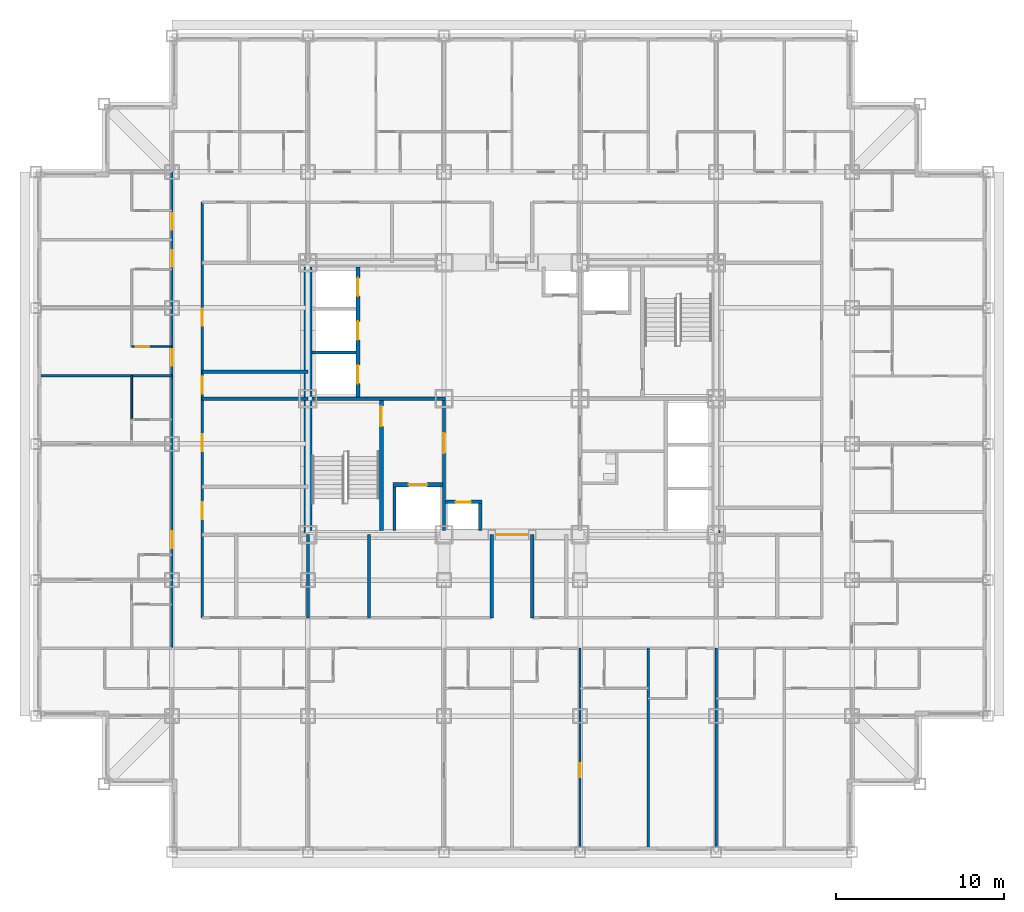
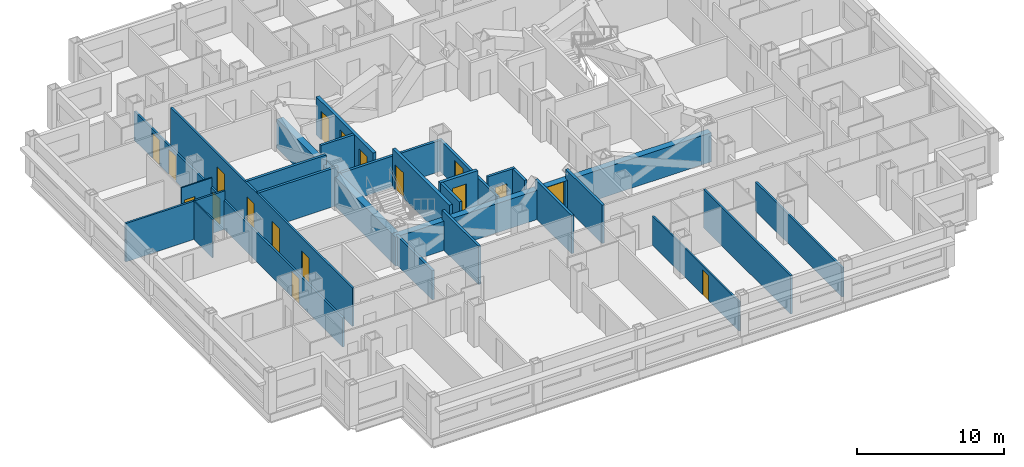
# One storey, part 6 of 14: 25 walls, 18 doors, 18 openings.
"""IFC4 building model written with IfcOpenShell, lengths in metres."""

from ifc_helpers import new_model, si_unit, direction, frame, frame_2d, origin, place, context, subcontext, project, spatial, rectangle, extrude, material, layer, layer_set, type_object, element, fill, save


model = new_model("IFC4")

# Units and contexts
model_context = context("Model", 3, precision=1e-05, world=origin(), true_north=direction((0.0, 1.0)))
body_context = subcontext(model_context, "Body", "Model", "MODEL_VIEW")
ifc_project = project(units=[si_unit("LENGTHUNIT", "METRE"), si_unit("AREAUNIT", "SQUARE_METRE"), si_unit("VOLUMEUNIT", "CUBIC_METRE"), si_unit("PLANEANGLEUNIT", "RADIAN"), si_unit("MASSUNIT", "GRAM", prefix="KILO")], contexts=[model_context])

# Site, building, storey
site_placement = place(None, origin())
site = spatial("IfcSite", under=ifc_project, at=site_placement, CompositionType="ELEMENT")
building_placement = place(site_placement, origin())
building = spatial("IfcBuilding", under=site, at=building_placement, Name="Kopane Lantern Tower", CompositionType="ELEMENT")
storey_placement = place(building_placement, frame((0.0, 0.0, 151.0)))
storey = spatial("IfcBuildingStorey", under=building, at=storey_placement, Name="L39", CompositionType="ELEMENT", Elevation=151.0)

# Wall, opening, door
ifc_material_1 = material(Name="Gypsum board on steel studs", Category="steel")
ifc_layer_1 = layer(ifc_material_1, 0.1201171875)
ifc_layer_set_1 = layer_set([ifc_layer_1], Name="APARTMENT INTERNAL WALL 120")
wall_type_1 = type_object("IfcWallType", Name="APARTMENT INTERNAL WALL 120", PredefinedType="PARTITIONING", material=ifc_layer_set_1)
wall_1_placement = place(storey_placement, frame((32.39990234375, 17.550048828125, 0.0), z_axis=(0.0, 0.0, 1.0), x_axis=(0.0, -1.0, 0.0)))
wall_1 = element("IfcWall", 1, at=wall_1_placement, inside=storey, type_object=wall_type_1, Name="Apartment Internal Wall 120 L39", PredefinedType="PARTITIONING", context=body_context, shape_type="SweptSolid", body=[
    extrude(rectangle(XDim=11.85009765625, YDim=0.1201171875, at=frame_2d((5.925048828125, 0.0))), origin(), (0.0, 0.0, 1.0), 2.420166015625),
])
opening_1_placement = place(wall_1_placement, frame((6.85009765625, 0.0, 0.0)))
opening_1 = element("IfcOpeningElement", 2, at=opening_1_placement, cuts=wall_1, Name="Opening L39-032", PredefinedType="OPENING", context=body_context, shape_type="SweptSolid", body=[
    extrude(rectangle(XDim=0.85009765625, YDim=2.10009765625, at=frame_2d((0.425048828125, 1.050048828125))), frame((0.0, 0.070068359375, 0.0), z_axis=(0.0, -1.0, 0.0), x_axis=(1.0, 0.0, 0.0)), (0.0, 0.0, 1.0), 0.14013671875),
])
ifc_material_2 = material(Name="Timber door set", Category="wood")
door_type_1 = type_object("IfcDoorType", Name="DOOR D4 850x2100", OperationType="SINGLE_SWING_LEFT", PredefinedType="DOOR", material=ifc_material_2)
door_1_placement = place(opening_1_placement, origin())
door_1 = element("IfcDoor", 3, at=door_1_placement, inside=storey, type_object=door_type_1, Name="Door L39-032", OperationType="SINGLE_SWING_LEFT", OverallHeight=2.10009765625, OverallWidth=0.85009765625, PredefinedType="DOOR", context=body_context, shape_type="SweptSolid", body=[
    extrude(rectangle(XDim=0.85009765625, YDim=2.10009765625, at=frame_2d((0.425048828125, 1.050048828125))), frame((0.0, 0.02490234375, 0.0), z_axis=(0.0, -1.0, 0.0), x_axis=(1.0, 0.0, 0.0)), (0.0, 0.0, 1.0), 0.050048828125),
])
fill(opening_1, door_1)

# Wall
ifc_material_3 = material(Name="Moisture-resistant board on steel studs", Category="steel")
ifc_layer_2 = layer(ifc_material_3, 0.10009765625)
ifc_layer_set_2 = layer_set([ifc_layer_2], Name="BATHROOM WALL 100")
wall_type_2 = type_object("IfcWallType", Name="BATHROOM WALL 100", PredefinedType="PARTITIONING", material=ifc_layer_set_2)
wall_2_placement = place(storey_placement, frame((5.699951171875, 31.14990234375, 0.0), z_axis=(0.0, 0.0, 1.0), x_axis=(0.0, 1.0, 0.0)))
element("IfcWall", 4, at=wall_2_placement, inside=storey, type_object=wall_type_2, Name="Bathroom Wall 100 L39", PredefinedType="PARTITIONING", context=body_context, shape_type="SweptSolid", body=[
    extrude(rectangle(XDim=2.60009765625, YDim=0.10009765625, at=frame_2d((1.300048828125, 0.0))), origin(), (0.0, 0.0, 1.0), 3.18994140625),
])

# Wall, opening, door
wall_3_placement = place(storey_placement, frame((8.10009765625, 35.5, 0.0), z_axis=(0.0, 0.0, 1.0), x_axis=(-1.0, 0.0, 0.0)))
wall_3 = element("IfcWall", 5, at=wall_3_placement, inside=storey, type_object=wall_type_2, Name="Bathroom Wall 100 L39", PredefinedType="PARTITIONING", context=body_context, shape_type="SweptSolid", body=[
    extrude(rectangle(XDim=2.400146484375, YDim=0.10009765625, at=frame_2d((1.2001953125, 0.0))), origin(), (0.0, 0.0, 1.0), 3.18994140625),
])
opening_2_placement = place(wall_3_placement, frame((1.35009765625, 0.0, 0.0)))
opening_2 = element("IfcOpeningElement", 6, at=opening_2_placement, cuts=wall_3, Name="Opening L39-057", PredefinedType="OPENING", context=body_context, shape_type="SweptSolid", body=[
    extrude(rectangle(XDim=0.800048828125, YDim=2.10009765625, at=frame_2d((0.39990234375, 1.050048828125))), frame((0.0, 0.06005859375, 0.0), z_axis=(0.0, -1.0, 0.0), x_axis=(1.0, 0.0, 0.0)), (0.0, 0.0, 1.0), 0.1201171875),
])
ifc_material_4 = material(Name="Timber door set", Category="wood")
door_type_2 = type_object("IfcDoorType", Name="DOOR D2 800x2100", OperationType="SINGLE_SWING_LEFT", PredefinedType="DOOR", material=ifc_material_4)
door_2_placement = place(opening_2_placement, origin())
door_2 = element("IfcDoor", 7, at=door_2_placement, inside=storey, type_object=door_type_2, Name="Door L39-057", OperationType="SINGLE_SWING_LEFT", OverallHeight=2.10009765625, OverallWidth=0.800048828125, PredefinedType="DOOR", context=body_context, shape_type="SweptSolid", body=[
    extrude(rectangle(XDim=0.800048828125, YDim=2.10009765625, at=frame_2d((0.39990234375, 1.050048828125))), frame((0.0, 0.02490234375, 0.0), z_axis=(0.0, -1.0, 0.0), x_axis=(1.0, 0.0, 0.0)), (0.0, 0.0, 1.0), 0.050048828125),
])
fill(opening_2, door_2)

ifc_material_5 = material(Name="Gypsum shaft wall EI 120", Category="gypsum")
ifc_layer_3 = layer(ifc_material_5, 0.5)
ifc_layer_set_3 = layer_set([ifc_layer_3], Name="CORE PERIMETER WALL 500 EI 120")
wall_type_3 = type_object("IfcWallType", Name="CORE PERIMETER WALL 500 EI 120", PredefinedType="SOLIDWALL", material=ifc_layer_set_3)
wall_4_placement = place(storey_placement, frame((15.949951171875, 24.300048828125, 0.0), z_axis=(0.0, 0.0, 1.0), x_axis=(1.0, 0.0, 0.0)))
wall_4 = element("IfcWall", 8, at=wall_4_placement, inside=storey, type_object=wall_type_3, Name="Core shaft wall L39 PS", PredefinedType="SOLIDWALL", context=body_context, shape_type="SweptSolid", body=[
    extrude(rectangle(XDim=24.800048828125, YDim=0.5, at=frame_2d((12.39990234375, 0.0))), origin(), (0.0, 0.0, 1.0), 2.420166015625),
])
opening_3_placement = place(wall_4_placement, frame((11.5, 0.0, 0.0)))
opening_3 = element("IfcOpeningElement", 9, at=opening_3_placement, cuts=wall_4, Name="Opening 39.CE-S", PredefinedType="OPENING", context=body_context, shape_type="SweptSolid", body=[
    extrude(rectangle(XDim=1.800048828125, YDim=2.39990234375, at=frame_2d((0.89990234375, 1.199951171875))), frame((0.0, 0.260009765625, 0.0), z_axis=(0.0, -1.0, 0.0), x_axis=(1.0, 0.0, 0.0)), (0.0, 0.0, 1.0), 0.52001953125),
])
ifc_material_6 = material(Name="Steel door set", Category="steel")
door_type_3 = type_object("IfcDoorType", Name="CORE ENTRY DOOR 1800x2400 FD60S", OperationType="DOUBLE_DOOR_SINGLE_SWING", PredefinedType="DOOR", material=ifc_material_6)
door_3_placement = place(opening_3_placement, origin())
door_3 = element("IfcDoor", 10, at=door_3_placement, inside=storey, type_object=door_type_3, Name="Core entry door L39 south", OperationType="DOUBLE_DOOR_SINGLE_SWING", OverallHeight=2.39990234375, OverallWidth=1.800048828125, PredefinedType="DOOR", context=body_context, shape_type="SweptSolid", body=[
    extrude(rectangle(XDim=1.800048828125, YDim=2.39990234375, at=frame_2d((0.89990234375, 1.199951171875))), frame((0.0, 0.02490234375, 0.0), z_axis=(0.0, -1.0, 0.0), x_axis=(1.0, 0.0, 0.0)), (0.0, 0.0, 1.0), 0.050048828125),
])
fill(opening_3, door_3)

# Wall
wall_5_placement = place(storey_placement, frame((16.199951171875, 24.550048828125, 0.0), z_axis=(0.0, 0.0, 1.0), x_axis=(0.0, 1.0, 0.0)))
element("IfcWall", 11, at=wall_5_placement, inside=storey, type_object=wall_type_3, Name="Core shaft wall L39 PW", PredefinedType="SOLIDWALL", context=body_context, shape_type="SweptSolid", body=[
    extrude(rectangle(XDim=15.699951171875, YDim=0.5, at=frame_2d((7.85009765625, 0.0))), origin(), (0.0, 0.0, 1.0), 2.420166015625),
])

# Wall, opening, door
ifc_material_7 = material(Name="Gypsum shaft wall EI 120", Category="gypsum")
ifc_layer_4 = layer(ifc_material_7, 0.25)
ifc_layer_set_4 = layer_set([ifc_layer_4], Name="CORE SHAFT WALL 250 EI 120")
wall_type_4 = type_object("IfcWallType", Name="CORE SHAFT WALL 250 EI 120", PredefinedType="SOLIDWALL", material=ifc_layer_set_4)
wall_6_placement = place(storey_placement, frame((20.574951171875, 24.550048828125, 0.0), z_axis=(0.0, 0.0, 1.0), x_axis=(0.0, 1.0, 0.0)))
wall_6 = element("IfcWall", 12, at=wall_6_placement, inside=storey, type_object=wall_type_4, Name="Core shaft wall L39 XST1", PredefinedType="SOLIDWALL", context=body_context, shape_type="SweptSolid", body=[
    extrude(rectangle(XDim=7.75, YDim=0.25, at=frame_2d((3.875, 0.0))), origin(), (0.0, 0.0, 1.0), 3.18994140625),
])
opening_4_placement = place(wall_6_placement, frame((6.199951171875, 0.0, 0.0)))
opening_4 = element("IfcOpeningElement", 13, at=opening_4_placement, cuts=wall_6, Name="Opening 39.SD1", PredefinedType="OPENING", context=body_context, shape_type="SweptSolid", body=[
    extrude(rectangle(XDim=1.199951171875, YDim=2.10009765625, at=frame_2d((0.60009765625, 1.050048828125))), frame((0.0, 0.135009765625, 0.0), z_axis=(0.0, -1.0, 0.0), x_axis=(1.0, 0.0, 0.0)), (0.0, 0.0, 1.0), 0.27001953125),
])
ifc_material_8 = material(Name="Steel door set", Category="steel")
door_type_4 = type_object("IfcDoorType", Name="STAIR DOOR 1200x2100 FD60S", OperationType="SINGLE_SWING_LEFT", PredefinedType="DOOR", material=ifc_material_8)
door_4_placement = place(opening_4_placement, origin())
door_4 = element("IfcDoor", 14, at=door_4_placement, inside=storey, type_object=door_type_4, Name="Stair door ST1 L39", OperationType="SINGLE_SWING_LEFT", OverallHeight=2.10009765625, OverallWidth=1.199951171875, PredefinedType="DOOR", context=body_context, shape_type="SweptSolid", body=[
    extrude(rectangle(XDim=1.199951171875, YDim=2.10009765625, at=frame_2d((0.60009765625, 1.050048828125))), frame((0.0, 0.02490234375, 0.0), z_axis=(0.0, -1.0, 0.0), x_axis=(1.0, 0.0, 0.0)), (0.0, 0.0, 1.0), 0.050048828125),
])
fill(opening_4, door_4)

wall_7_placement = place(storey_placement, frame((21.25, 27.27490234375, 0.0), z_axis=(0.0, 0.0, 1.0), x_axis=(1.0, 0.0, 0.0)))
wall_7 = element("IfcWall", 15, at=wall_7_placement, inside=storey, type_object=wall_type_4, Name="Core shaft wall L39 YLF1", PredefinedType="SOLIDWALL", context=body_context, shape_type="SweptSolid", body=[
    extrude(rectangle(XDim=2.949951171875, YDim=0.25, at=frame_2d((1.47509765625, 0.0))), origin(), (0.0, 0.0, 1.0), 3.18994140625),
])
opening_5_placement = place(wall_7_placement, frame((0.949951171875, 0.0, 0.0)))
opening_5 = element("IfcOpeningElement", 16, at=opening_5_placement, cuts=wall_7, Name="Opening 39.LD-LF1", PredefinedType="OPENING", context=body_context, shape_type="SweptSolid", body=[
    extrude(rectangle(XDim=1.10009765625, YDim=2.39990234375, at=frame_2d((0.550048828125, 1.199951171875))), frame((0.0, 0.135009765625, 0.0), z_axis=(0.0, -1.0, 0.0), x_axis=(1.0, 0.0, 0.0)), (0.0, 0.0, 1.0), 0.27001953125),
])
ifc_material_9 = material(Name="Steel door set", Category="steel")
door_type_5 = type_object("IfcDoorType", Name="LIFT LANDING DOOR 1100x2400 FD60", OperationType="DOUBLE_DOOR_SLIDING", PredefinedType="DOOR", material=ifc_material_9)
door_5_placement = place(opening_5_placement, origin())
door_5 = element("IfcDoor", 17, at=door_5_placement, inside=storey, type_object=door_type_5, Name="Landing door LF1 L39", OperationType="DOUBLE_DOOR_SLIDING", OverallHeight=2.39990234375, OverallWidth=1.10009765625, PredefinedType="DOOR", context=body_context, shape_type="SweptSolid", body=[
    extrude(rectangle(XDim=1.10009765625, YDim=2.39990234375, at=frame_2d((0.550048828125, 1.199951171875))), frame((0.0, 0.02490234375, 0.0), z_axis=(0.0, -1.0, 0.0), x_axis=(1.0, 0.0, 0.0)), (0.0, 0.0, 1.0), 0.050048828125),
])
fill(opening_5, door_5)

# Wall, openings, doors
wall_8_placement = place(storey_placement, frame((19.175048828125, 32.5, 0.0), z_axis=(0.0, 0.0, 1.0), x_axis=(0.0, 1.0, 0.0)))
wall_8 = element("IfcWall", 18, at=wall_8_placement, inside=storey, type_object=wall_type_4, Name="Core shaft wall L39 XLH", PredefinedType="SOLIDWALL", context=body_context, shape_type="SweptSolid", body=[
    extrude(rectangle(XDim=7.75, YDim=0.25, at=frame_2d((3.875, 0.0))), origin(), (0.0, 0.0, 1.0), 3.18994140625),
])
opening_6_placement = place(wall_8_placement, frame((0.800048828125, 0.0, 0.0)))
opening_6 = element("IfcOpeningElement", 19, at=opening_6_placement, cuts=wall_8, Name="Opening 39.LD-LH1", PredefinedType="OPENING", context=body_context, shape_type="SweptSolid", body=[
    extrude(rectangle(XDim=1.10009765625, YDim=2.39990234375, at=frame_2d((0.550048828125, 1.199951171875))), frame((0.0, 0.135009765625, 0.0), z_axis=(0.0, -1.0, 0.0), x_axis=(1.0, 0.0, 0.0)), (0.0, 0.0, 1.0), 0.27001953125),
])
opening_7_placement = place(wall_8_placement, frame((3.39990234375, 0.0, 0.0)))
opening_7 = element("IfcOpeningElement", 20, at=opening_7_placement, cuts=wall_8, Name="Opening 39.LD-LH2", PredefinedType="OPENING", context=body_context, shape_type="SweptSolid", body=[
    extrude(rectangle(XDim=1.10009765625, YDim=2.39990234375, at=frame_2d((0.550048828125, 1.199951171875))), frame((0.0, 0.135009765625, 0.0), z_axis=(0.0, -1.0, 0.0), x_axis=(1.0, 0.0, 0.0)), (0.0, 0.0, 1.0), 0.27001953125),
])
opening_8_placement = place(wall_8_placement, frame((6.0, 0.0, 0.0)))
opening_8 = element("IfcOpeningElement", 21, at=opening_8_placement, cuts=wall_8, Name="Opening 39.LD-LH3", PredefinedType="OPENING", context=body_context, shape_type="SweptSolid", body=[
    extrude(rectangle(XDim=1.10009765625, YDim=2.39990234375, at=frame_2d((0.550048828125, 1.199951171875))), frame((0.0, 0.135009765625, 0.0), z_axis=(0.0, -1.0, 0.0), x_axis=(1.0, 0.0, 0.0)), (0.0, 0.0, 1.0), 0.27001953125),
])
door_6_placement = place(opening_6_placement, origin())
door_6 = element("IfcDoor", 22, at=door_6_placement, inside=storey, type_object=door_type_5, Name="Landing door LH1 L39", OperationType="DOUBLE_DOOR_SLIDING", OverallHeight=2.39990234375, OverallWidth=1.10009765625, PredefinedType="DOOR", context=body_context, shape_type="SweptSolid", body=[
    extrude(rectangle(XDim=1.10009765625, YDim=2.39990234375, at=frame_2d((0.550048828125, 1.199951171875))), frame((0.0, 0.02490234375, 0.0), z_axis=(0.0, -1.0, 0.0), x_axis=(1.0, 0.0, 0.0)), (0.0, 0.0, 1.0), 0.050048828125),
])
fill(opening_6, door_6)
door_7_placement = place(opening_7_placement, origin())
door_7 = element("IfcDoor", 23, at=door_7_placement, inside=storey, type_object=door_type_5, Name="Landing door LH2 L39", OperationType="DOUBLE_DOOR_SLIDING", OverallHeight=2.39990234375, OverallWidth=1.10009765625, PredefinedType="DOOR", context=body_context, shape_type="SweptSolid", body=[
    extrude(rectangle(XDim=1.10009765625, YDim=2.39990234375, at=frame_2d((0.550048828125, 1.199951171875))), frame((0.0, 0.02490234375, 0.0), z_axis=(0.0, -1.0, 0.0), x_axis=(1.0, 0.0, 0.0)), (0.0, 0.0, 1.0), 0.050048828125),
])
fill(opening_7, door_7)
door_8_placement = place(opening_8_placement, origin())
door_8 = element("IfcDoor", 24, at=door_8_placement, inside=storey, type_object=door_type_5, Name="Landing door LH3 L39", OperationType="DOUBLE_DOOR_SLIDING", OverallHeight=2.39990234375, OverallWidth=1.10009765625, PredefinedType="DOOR", context=body_context, shape_type="SweptSolid", body=[
    extrude(rectangle(XDim=1.10009765625, YDim=2.39990234375, at=frame_2d((0.550048828125, 1.199951171875))), frame((0.0, 0.02490234375, 0.0), z_axis=(0.0, -1.0, 0.0), x_axis=(1.0, 0.0, 0.0)), (0.0, 0.0, 1.0), 0.050048828125),
])
fill(opening_8, door_8)

ifc_material_10 = material(Name="Gypsum board on steel studs", Category="steel")
ifc_layer_5 = layer(ifc_material_10, 0.14990234375)
ifc_layer_set_5 = layer_set([ifc_layer_5], Name="CORRIDOR WALL 150 EI 60")
wall_type_5 = type_object("IfcWallType", Name="CORRIDOR WALL 150 EI 60", PredefinedType="PARTITIONING", material=ifc_layer_set_5)
wall_9_placement = place(storey_placement, frame((8.10009765625, 17.550048828125, 0.0), z_axis=(0.0, 0.0, 1.0), x_axis=(0.0, 1.0, 0.0)))
wall_9 = element("IfcWall", 25, at=wall_9_placement, inside=storey, type_object=wall_type_5, Name="Corridor Wall 150 Ei 60 L39", PredefinedType="PARTITIONING", context=body_context, shape_type="SweptSolid", body=[
    extrude(rectangle(XDim=28.349853515625, YDim=0.14990234375, at=frame_2d((14.1748046875, 0.0))), origin(), (0.0, 0.0, 1.0), 2.420166015625),
])
opening_9_placement = place(wall_9_placement, frame((5.949951171875, 0.0, 0.0)))
opening_9 = element("IfcOpeningElement", 26, at=opening_9_placement, cuts=wall_9, Name="Opening L39-052", PredefinedType="OPENING", context=body_context, shape_type="SweptSolid", body=[
    extrude(rectangle(XDim=1.0, YDim=2.10009765625, at=frame_2d((0.5, 1.050048828125))), frame((0.0, 0.0849609375, 0.0), z_axis=(0.0, -1.0, 0.0), x_axis=(1.0, 0.0, 0.0)), (0.0, 0.0, 1.0), 0.169921875),
])
opening_10_placement = place(wall_9_placement, frame((16.800048828125, 0.0, 0.0)))
opening_10 = element("IfcOpeningElement", 27, at=opening_10_placement, cuts=wall_9, Name="Opening L39-058", PredefinedType="OPENING", context=body_context, shape_type="SweptSolid", body=[
    extrude(rectangle(XDim=1.0, YDim=2.10009765625, at=frame_2d((0.5, 1.050048828125))), frame((0.0, 0.0849609375, 0.0), z_axis=(0.0, -1.0, 0.0), x_axis=(1.0, 0.0, 0.0)), (0.0, 0.0, 1.0), 0.169921875),
])
opening_11_placement = place(wall_9_placement, frame((22.699951171875, 0.0, 0.0)))
opening_11 = element("IfcOpeningElement", 28, at=opening_11_placement, cuts=wall_9, Name="Opening L39-060", PredefinedType="OPENING", context=body_context, shape_type="SweptSolid", body=[
    extrude(rectangle(XDim=1.0, YDim=2.10009765625, at=frame_2d((0.5, 1.050048828125))), frame((0.0, 0.0849609375, 0.0), z_axis=(0.0, -1.0, 0.0), x_axis=(1.0, 0.0, 0.0)), (0.0, 0.0, 1.0), 0.169921875),
])
opening_12_placement = place(wall_9_placement, frame((24.89990234375, 0.0, 0.0)))
opening_12 = element("IfcOpeningElement", 29, at=opening_12_placement, cuts=wall_9, Name="Opening L39-062", PredefinedType="OPENING", context=body_context, shape_type="SweptSolid", body=[
    extrude(rectangle(XDim=1.0, YDim=2.10009765625, at=frame_2d((0.5, 1.050048828125))), frame((0.0, 0.0849609375, 0.0), z_axis=(0.0, -1.0, 0.0), x_axis=(1.0, 0.0, 0.0)), (0.0, 0.0, 1.0), 0.169921875),
])
ifc_material_11 = material(Name="Steel door set", Category="steel")
door_type_6 = type_object("IfcDoorType", Name="DOOR D1 1000x2100 FD30S", OperationType="SINGLE_SWING_LEFT", PredefinedType="DOOR", material=ifc_material_11)
door_9_placement = place(opening_9_placement, origin())
door_9 = element("IfcDoor", 30, at=door_9_placement, inside=storey, type_object=door_type_6, Name="Door L39-052", OperationType="SINGLE_SWING_LEFT", OverallHeight=2.10009765625, OverallWidth=1.0, PredefinedType="DOOR", context=body_context, shape_type="SweptSolid", body=[
    extrude(rectangle(XDim=1.0, YDim=2.10009765625, at=frame_2d((0.5, 1.050048828125))), frame((0.0, 0.02490234375, 0.0), z_axis=(0.0, -1.0, 0.0), x_axis=(1.0, 0.0, 0.0)), (0.0, 0.0, 1.0), 0.050048828125),
])
fill(opening_9, door_9)
door_10_placement = place(opening_10_placement, origin())
door_10 = element("IfcDoor", 31, at=door_10_placement, inside=storey, type_object=door_type_6, Name="Door L39-058", OperationType="SINGLE_SWING_RIGHT", OverallHeight=2.10009765625, OverallWidth=1.0, PredefinedType="DOOR", context=body_context, shape_type="SweptSolid", body=[
    extrude(rectangle(XDim=1.0, YDim=2.10009765625, at=frame_2d((0.5, 1.050048828125))), frame((0.0, 0.02490234375, 0.0), z_axis=(0.0, -1.0, 0.0), x_axis=(1.0, 0.0, 0.0)), (0.0, 0.0, 1.0), 0.050048828125),
])
fill(opening_10, door_10)
door_11_placement = place(opening_11_placement, origin())
door_11 = element("IfcDoor", 32, at=door_11_placement, inside=storey, type_object=door_type_6, Name="Door L39-060", OperationType="SINGLE_SWING_LEFT", OverallHeight=2.10009765625, OverallWidth=1.0, PredefinedType="DOOR", context=body_context, shape_type="SweptSolid", body=[
    extrude(rectangle(XDim=1.0, YDim=2.10009765625, at=frame_2d((0.5, 1.050048828125))), frame((0.0, 0.02490234375, 0.0), z_axis=(0.0, -1.0, 0.0), x_axis=(1.0, 0.0, 0.0)), (0.0, 0.0, 1.0), 0.050048828125),
])
fill(opening_11, door_11)
door_12_placement = place(opening_12_placement, origin())
door_12 = element("IfcDoor", 33, at=door_12_placement, inside=storey, type_object=door_type_6, Name="Door L39-062", OperationType="SINGLE_SWING_RIGHT", OverallHeight=2.10009765625, OverallWidth=1.0, PredefinedType="DOOR", context=body_context, shape_type="SweptSolid", body=[
    extrude(rectangle(XDim=1.0, YDim=2.10009765625, at=frame_2d((0.5, 1.050048828125))), frame((0.0, 0.02490234375, 0.0), z_axis=(0.0, -1.0, 0.0), x_axis=(1.0, 0.0, 0.0)), (0.0, 0.0, 1.0), 0.050048828125),
])
fill(opening_12, door_12)

wall_10_placement = place(storey_placement, frame((9.89990234375, 44.10009765625, 0.0), z_axis=(0.0, 0.0, 1.0), x_axis=(0.0, -1.0, 0.0)))
wall_10 = element("IfcWall", 34, at=wall_10_placement, inside=storey, type_object=wall_type_5, Name="Corridor Wall 150 Ei 60 L39", PredefinedType="PARTITIONING", context=body_context, shape_type="SweptSolid", body=[
    extrude(rectangle(XDim=24.75, YDim=0.14990234375, at=frame_2d((12.375, 0.0))), origin(), (0.0, 0.0, 1.0), 3.18994140625),
])
opening_13_placement = place(wall_10_placement, frame((17.871337890625, 0.0, 0.0)))
opening_13 = element("IfcOpeningElement", 35, at=opening_13_placement, cuts=wall_10, Name="Opening L39-001", PredefinedType="OPENING", context=body_context, shape_type="SweptSolid", body=[
    extrude(rectangle(XDim=1.0, YDim=2.10009765625, at=frame_2d((0.5, 1.050048828125))), frame((0.0, 0.0849609375, 0.0), z_axis=(0.0, -1.0, 0.0), x_axis=(1.0, 0.0, 0.0)), (0.0, 0.0, 1.0), 0.169921875),
])
opening_14_placement = place(wall_10_placement, frame((13.8212890625, 0.0, 0.0)))
opening_14 = element("IfcOpeningElement", 36, at=opening_14_placement, cuts=wall_10, Name="Opening L39-002", PredefinedType="OPENING", context=body_context, shape_type="SweptSolid", body=[
    extrude(rectangle(XDim=1.0, YDim=2.10009765625, at=frame_2d((0.5, 1.050048828125))), frame((0.0, 0.0849609375, 0.0), z_axis=(0.0, -1.0, 0.0), x_axis=(1.0, 0.0, 0.0)), (0.0, 0.0, 1.0), 0.169921875),
])
opening_15_placement = place(wall_10_placement, frame((10.39990234375, 0.0, 0.0)))
opening_15 = element("IfcOpeningElement", 37, at=opening_15_placement, cuts=wall_10, Name="Opening L39-003", PredefinedType="OPENING", context=body_context, shape_type="SweptSolid", body=[
    extrude(rectangle(XDim=1.0, YDim=2.10009765625, at=frame_2d((0.5, 1.050048828125))), frame((0.0, 0.0849609375, 0.0), z_axis=(0.0, -1.0, 0.0), x_axis=(1.0, 0.0, 0.0)), (0.0, 0.0, 1.0), 0.169921875),
])
opening_16_placement = place(wall_10_placement, frame((6.35009765625, 0.0, 0.0)))
opening_16 = element("IfcOpeningElement", 38, at=opening_16_placement, cuts=wall_10, Name="Opening L39-004", PredefinedType="OPENING", context=body_context, shape_type="SweptSolid", body=[
    extrude(rectangle(XDim=1.0, YDim=2.10009765625, at=frame_2d((0.5, 1.050048828125))), frame((0.0, 0.0849609375, 0.0), z_axis=(0.0, -1.0, 0.0), x_axis=(1.0, 0.0, 0.0)), (0.0, 0.0, 1.0), 0.169921875),
])
ifc_material_12 = material(Name="Steel door set", Category="steel")
door_type_7 = type_object("IfcDoorType", Name="DOOR D5 1000x2100 FD60", OperationType="SINGLE_SWING_LEFT", PredefinedType="DOOR", material=ifc_material_12)
door_13_placement = place(opening_13_placement, origin())
door_13 = element("IfcDoor", 39, at=door_13_placement, inside=storey, type_object=door_type_7, Name="Door L39-001", OperationType="SINGLE_SWING_RIGHT", OverallHeight=2.10009765625, OverallWidth=1.0, PredefinedType="DOOR", context=body_context, shape_type="SweptSolid", body=[
    extrude(rectangle(XDim=1.0, YDim=2.10009765625, at=frame_2d((0.5, 1.050048828125))), frame((0.0, 0.02490234375, 0.0), z_axis=(0.0, -1.0, 0.0), x_axis=(1.0, 0.0, 0.0)), (0.0, 0.0, 1.0), 0.050048828125),
])
fill(opening_13, door_13)
door_14_placement = place(opening_14_placement, origin())
door_14 = element("IfcDoor", 40, at=door_14_placement, inside=storey, type_object=door_type_7, Name="Door L39-002", OperationType="SINGLE_SWING_LEFT", OverallHeight=2.10009765625, OverallWidth=1.0, PredefinedType="DOOR", context=body_context, shape_type="SweptSolid", body=[
    extrude(rectangle(XDim=1.0, YDim=2.10009765625, at=frame_2d((0.5, 1.050048828125))), frame((0.0, 0.02490234375, 0.0), z_axis=(0.0, -1.0, 0.0), x_axis=(1.0, 0.0, 0.0)), (0.0, 0.0, 1.0), 0.050048828125),
])
fill(opening_14, door_14)
door_15_placement = place(opening_15_placement, origin())
door_15 = element("IfcDoor", 41, at=door_15_placement, inside=storey, type_object=door_type_7, Name="Door L39-003", OperationType="SINGLE_SWING_RIGHT", OverallHeight=2.10009765625, OverallWidth=1.0, PredefinedType="DOOR", context=body_context, shape_type="SweptSolid", body=[
    extrude(rectangle(XDim=1.0, YDim=2.10009765625, at=frame_2d((0.5, 1.050048828125))), frame((0.0, 0.02490234375, 0.0), z_axis=(0.0, -1.0, 0.0), x_axis=(1.0, 0.0, 0.0)), (0.0, 0.0, 1.0), 0.050048828125),
])
fill(opening_15, door_15)
door_16_placement = place(opening_16_placement, origin())
door_16 = element("IfcDoor", 42, at=door_16_placement, inside=storey, type_object=door_type_7, Name="Door L39-004", OperationType="SINGLE_SWING_LEFT", OverallHeight=2.10009765625, OverallWidth=1.0, PredefinedType="DOOR", context=body_context, shape_type="SweptSolid", body=[
    extrude(rectangle(XDim=1.0, YDim=2.10009765625, at=frame_2d((0.5, 1.050048828125))), frame((0.0, 0.02490234375, 0.0), z_axis=(0.0, -1.0, 0.0), x_axis=(1.0, 0.0, 0.0)), (0.0, 0.0, 1.0), 0.050048828125),
])
fill(opening_16, door_16)

# Walls
ifc_material_13 = material(Name="Gypsum board on steel studs", Category="steel")
ifc_layer_6 = layer(ifc_material_13, 0.14990234375)
ifc_layer_set_6 = layer_set([ifc_layer_6], Name="DEMISING WALL 150 EI 60")
wall_type_6 = type_object("IfcWallType", Name="DEMISING WALL 150 EI 60", PredefinedType="PARTITIONING", material=ifc_layer_set_6)
wall_11_placement = place(storey_placement, frame((36.449951171875, 17.550048828125, 0.0), z_axis=(0.0, 0.0, 1.0), x_axis=(0.0, -1.0, 0.0)))
element("IfcWall", 43, at=wall_11_placement, inside=storey, type_object=wall_type_6, Name="Demising Wall 150 Ei 60 L39", PredefinedType="PARTITIONING", context=body_context, shape_type="SweptSolid", body=[
    extrude(rectangle(XDim=11.85009765625, YDim=0.14990234375, at=frame_2d((5.925048828125, 0.0))), origin(), (0.0, 0.0, 1.0), 3.18994140625),
])
wall_12_placement = place(storey_placement, frame((40.5, 17.550048828125, 0.0), z_axis=(0.0, 0.0, 1.0), x_axis=(0.0, -1.0, 0.0)))
element("IfcWall", 44, at=wall_12_placement, inside=storey, type_object=wall_type_6, Name="Demising Wall 150 Ei 60 L39", PredefinedType="PARTITIONING", context=body_context, shape_type="SweptSolid", body=[
    extrude(rectangle(XDim=11.85009765625, YDim=0.14990234375, at=frame_2d((5.925048828125, 0.0))), origin(), (0.0, 0.0, 1.0), 2.420166015625),
])
wall_13_placement = place(storey_placement, frame((8.10009765625, 33.75, 0.0), z_axis=(0.0, 0.0, 1.0), x_axis=(-1.0, 0.0, 0.0)))
element("IfcWall", 45, at=wall_13_placement, inside=storey, type_object=wall_type_6, Name="Demising Wall 150 Ei 60 L39", PredefinedType="PARTITIONING", context=body_context, shape_type="SweptSolid", body=[
    extrude(rectangle(XDim=7.800048828125, YDim=0.14990234375, at=frame_2d((3.89990234375, 0.0))), origin(), (0.0, 0.0, 1.0), 3.18994140625),
])
ifc_material_14 = material(Name="Concrete masonry", Category="masonry")
ifc_layer_7 = layer(ifc_material_14, 0.199951171875)
ifc_layer_set_7 = layer_set([ifc_layer_7], Name="PLANT ROOM WALL 200 EI 120")
wall_type_7 = type_object("IfcWallType", Name="PLANT ROOM WALL 200 EI 120", PredefinedType="SOLIDWALL", material=ifc_layer_set_7)
for number, where, z_axis, x_axis, name in (
    (46, (9.89990234375, 32.39990234375, 0.0), (0.0, 0.0, 1.0), (1.0, 0.0, 0.0), "Plant Room Wall 200 Ei 120 L39"),
    (47, (9.89990234375, 34.0, 0.0), (0.0, 0.0, 1.0), (1.0, 0.0, 0.0), "Plant Room Wall 200 Ei 120 L39"),
):
    element("IfcWall", number, at=place(storey_placement, frame(where, z_axis=z_axis, x_axis=x_axis)), inside=storey, type_object=wall_type_7, Name=name, PredefinedType="SOLIDWALL", context=body_context, shape_type="SweptSolid", body=[
        extrude(rectangle(XDim=6.300048828125, YDim=0.199951171875, at=frame_2d((3.14990234375, 0.0))), origin(), (0.0, 0.0, 1.0), 3.18994140625),
    ])
wall_14_placement = place(storey_placement, frame((16.199951171875, 19.35009765625, 0.0), z_axis=(0.0, 0.0, 1.0), x_axis=(0.0, 1.0, 0.0)))
element("IfcWall", 48, at=wall_14_placement, inside=storey, type_object=wall_type_7, Name="Plant Room Wall 200 Ei 120 L39", PredefinedType="SOLIDWALL", context=body_context, shape_type="SweptSolid", body=[
    extrude(rectangle(XDim=4.949951171875, YDim=0.199951171875, at=frame_2d((2.47509765625, 0.0))), origin(), (0.0, 0.0, 1.0), 2.420166015625),
])
for number, where, z_axis, x_axis, name in (
    (49, (19.83642578125, 19.35009765625, 0.0), (0.0, 0.0, 1.0), (0.0, 1.0, 0.0), "Plant Room Wall 200 Ei 120 L39"),
    (50, (27.14990234375, 19.35009765625, 0.0), (0.0, 0.0, 1.0), (0.0, 1.0, 0.0), "Plant Room Wall 200 Ei 120 L39"),
    (51, (29.550048828125, 19.35009765625, 0.0), (0.0, 0.0, 1.0), (0.0, 1.0, 0.0), "Plant Room Wall 200 Ei 120 L39"),
):
    element("IfcWall", number, at=place(storey_placement, frame(where, z_axis=z_axis, x_axis=x_axis)), inside=storey, type_object=wall_type_7, Name=name, PredefinedType="SOLIDWALL", context=body_context, shape_type="SweptSolid", body=[
        extrude(rectangle(XDim=4.949951171875, YDim=0.199951171875, at=frame_2d((2.47509765625, 0.0))), origin(), (0.0, 0.0, 1.0), 3.18994140625),
    ])
ifc_material_15 = material(Name="Gypsum shaft wall EI 120", Category="gypsum")
ifc_layer_8 = layer(ifc_material_15, 0.199951171875)
ifc_layer_set_8 = layer_set([ifc_layer_8], Name="SHAFT WALL 200 EI 120")
wall_type_8 = type_object("IfcWallType", Name="SHAFT WALL 200 EI 120", PredefinedType="SOLIDWALL", material=ifc_layer_set_8)
wall_15_placement = place(storey_placement, frame((16.449951171875, 32.39990234375, 0.0), z_axis=(0.0, 0.0, 1.0), x_axis=(1.0, 0.0, 0.0)))
element("IfcWall", 52, at=wall_15_placement, inside=storey, type_object=wall_type_8, Name="Core shaft wall L39 Y324W", PredefinedType="SOLIDWALL", context=body_context, shape_type="SweptSolid", body=[
    extrude(rectangle(XDim=7.949951171875, YDim=0.199951171875, at=frame_2d((3.97509765625, 0.0))), origin(), (0.0, 0.0, 1.0), 2.577880859375),
])

# Wall, opening, door
wall_16_placement = place(storey_placement, frame((24.300048828125, 24.550048828125, 0.0), z_axis=(0.0, 0.0, 1.0), x_axis=(0.0, 1.0, 0.0)))
wall_16 = element("IfcWall", 53, at=wall_16_placement, inside=storey, type_object=wall_type_8, Name="Core shaft wall L39 X243", PredefinedType="SOLIDWALL", context=body_context, shape_type="SweptSolid", body=[
    extrude(rectangle(XDim=7.75, YDim=0.199951171875, at=frame_2d((3.875, 0.0))), origin(), (0.0, 0.0, 1.0), 2.577880859375),
])
opening_17_placement = place(wall_16_placement, frame((4.60009765625, 0.0, 0.0)))
opening_17 = element("IfcOpeningElement", 54, at=opening_17_placement, cuts=wall_16, Name="Opening 39.FL1", PredefinedType="OPENING", context=body_context, shape_type="SweptSolid", body=[
    extrude(rectangle(XDim=1.199951171875, YDim=2.10009765625, at=frame_2d((0.60009765625, 1.050048828125))), frame((0.0, 0.10986328125, 0.0), z_axis=(0.0, -1.0, 0.0), x_axis=(1.0, 0.0, 0.0)), (0.0, 0.0, 1.0), 0.219970703125),
])
ifc_material_16 = material(Name="Steel door set", Category="steel")
door_type_8 = type_object("IfcDoorType", Name="FIREFIGHTING LOBBY DOOR 1200x2100 FD60S", OperationType="SINGLE_SWING_RIGHT", PredefinedType="DOOR", material=ifc_material_16)
door_17_placement = place(opening_17_placement, origin())
door_17 = element("IfcDoor", 55, at=door_17_placement, inside=storey, type_object=door_type_8, Name="Firefighting lobby door FL1 L39", OperationType="SINGLE_SWING_LEFT", OverallHeight=2.10009765625, OverallWidth=1.199951171875, PredefinedType="DOOR", context=body_context, shape_type="SweptSolid", body=[
    extrude(rectangle(XDim=1.199951171875, YDim=2.10009765625, at=frame_2d((0.60009765625, 1.050048828125))), frame((0.0, 0.02490234375, 0.0), z_axis=(0.0, -1.0, 0.0), x_axis=(1.0, 0.0, 0.0)), (0.0, 0.0, 1.0), 0.050048828125),
])
fill(opening_17, door_17)

# Walls
wall_17_placement = place(storey_placement, frame((21.35009765625, 24.550048828125, 0.0), z_axis=(0.0, 0.0, 1.0), x_axis=(0.0, 1.0, 0.0)))
element("IfcWall", 56, at=wall_17_placement, inside=storey, type_object=wall_type_8, Name="Core shaft wall L39 XLF1", PredefinedType="SOLIDWALL", context=body_context, shape_type="SweptSolid", body=[
    extrude(rectangle(XDim=2.599853515625, YDim=0.199951171875, at=frame_2d((1.2998046875, 0.0))), origin(), (0.0, 0.0, 1.0), 3.18994140625),
])
wall_18_placement = place(storey_placement, frame((16.449951171875, 35.14990234375, 0.0), z_axis=(0.0, 0.0, 1.0), x_axis=(1.0, 0.0, 0.0)))
element("IfcWall", 57, at=wall_18_placement, inside=storey, type_object=wall_type_8, Name="Core shaft wall L39 YLH12", PredefinedType="SOLIDWALL", context=body_context, shape_type="SweptSolid", body=[
    extrude(rectangle(XDim=2.60009765625, YDim=0.199951171875, at=frame_2d((1.300048828125, 0.0))), origin(), (0.0, 0.0, 1.0), 3.18994140625),
])
wall_19_placement = place(storey_placement, frame((26.449951171875, 24.550048828125, 0.0), z_axis=(0.0, 0.0, 1.0), x_axis=(0.0, 1.0, 0.0)))
element("IfcWall", 58, at=wall_19_placement, inside=storey, type_object=wall_type_8, Name="Core shaft wall L39 XRS1", PredefinedType="SOLIDWALL", context=body_context, shape_type="SweptSolid", body=[
    extrude(rectangle(XDim=1.599853515625, YDim=0.199951171875, at=frame_2d((0.7998046875, 0.0))), origin(), (0.0, 0.0, 1.0), 3.18994140625),
])

# Wall, opening, door
wall_20_placement = place(storey_placement, frame((24.39990234375, 26.25, 0.0), z_axis=(0.0, 0.0, 1.0), x_axis=(1.0, 0.0, 0.0)))
wall_20 = element("IfcWall", 59, at=wall_20_placement, inside=storey, type_object=wall_type_8, Name="Core shaft wall L39 YRS1", PredefinedType="SOLIDWALL", context=body_context, shape_type="SweptSolid", body=[
    extrude(rectangle(XDim=2.150146484375, YDim=0.199951171875, at=frame_2d((1.0751953125, 0.0))), origin(), (0.0, 0.0, 1.0), 3.18994140625),
])
opening_18_placement = place(wall_20_placement, frame((0.60009765625, 0.0, 0.0)))
opening_18 = element("IfcOpeningElement", 60, at=opening_18_placement, cuts=wall_20, Name="Opening 39.RS1", PredefinedType="OPENING", context=body_context, shape_type="SweptSolid", body=[
    extrude(rectangle(XDim=0.89990234375, YDim=2.10009765625, at=frame_2d((0.449951171875, 1.050048828125))), frame((0.0, 0.10986328125, 0.0), z_axis=(0.0, -1.0, 0.0), x_axis=(1.0, 0.0, 0.0)), (0.0, 0.0, 1.0), 0.219970703125),
])
ifc_material_17 = material(Name="Steel door set", Category="steel")
door_type_9 = type_object("IfcDoorType", Name="RISER ACCESS DOOR 900x2100 FD60", OperationType="SINGLE_SWING_LEFT", PredefinedType="DOOR", material=ifc_material_17)
door_18_placement = place(opening_18_placement, origin())
door_18 = element("IfcDoor", 61, at=door_18_placement, inside=storey, type_object=door_type_9, Name="Riser access door RS1 L39", OperationType="SINGLE_SWING_LEFT", OverallHeight=2.10009765625, OverallWidth=0.89990234375, PredefinedType="DOOR", context=body_context, shape_type="SweptSolid", body=[
    extrude(rectangle(XDim=0.89990234375, YDim=2.10009765625, at=frame_2d((0.449951171875, 1.050048828125))), frame((0.0, 0.02490234375, 0.0), z_axis=(0.0, -1.0, 0.0), x_axis=(1.0, 0.0, 0.0)), (0.0, 0.0, 1.0), 0.050048828125),
])
fill(opening_18, door_18)

save(model, "model.ifc")
